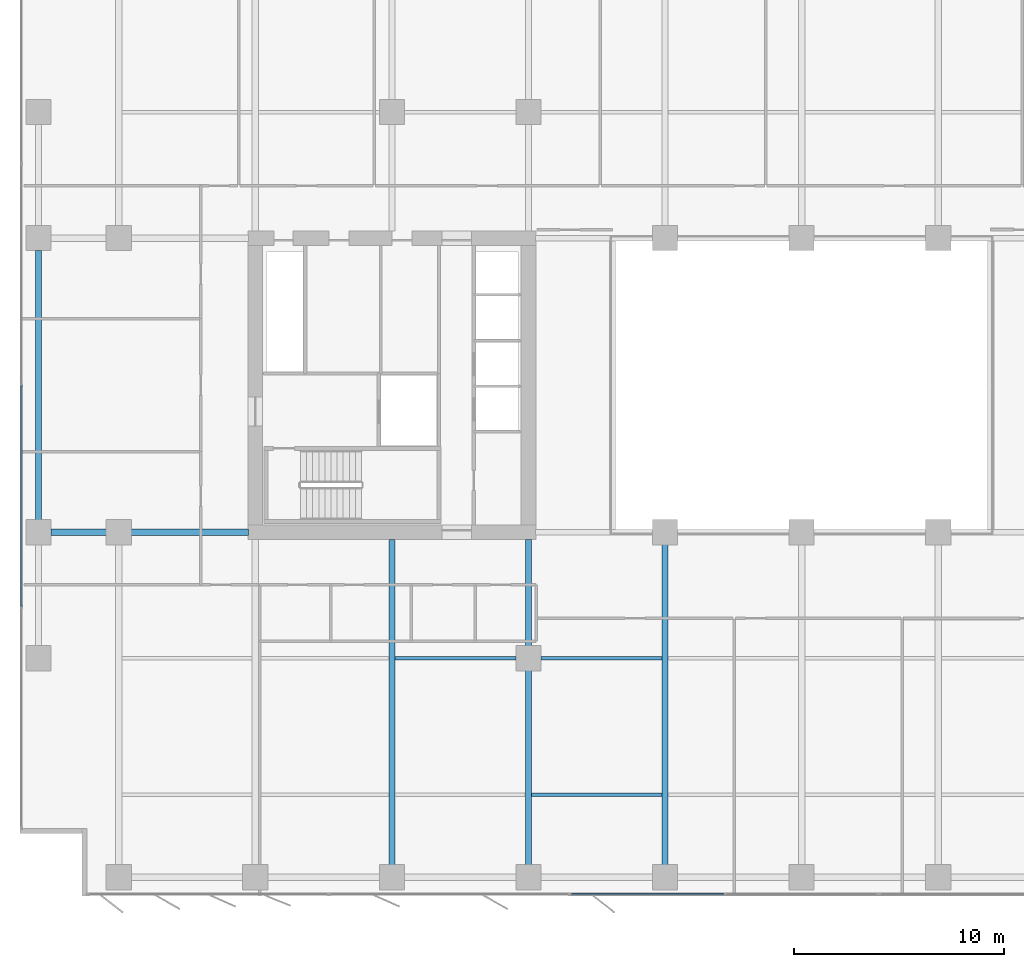
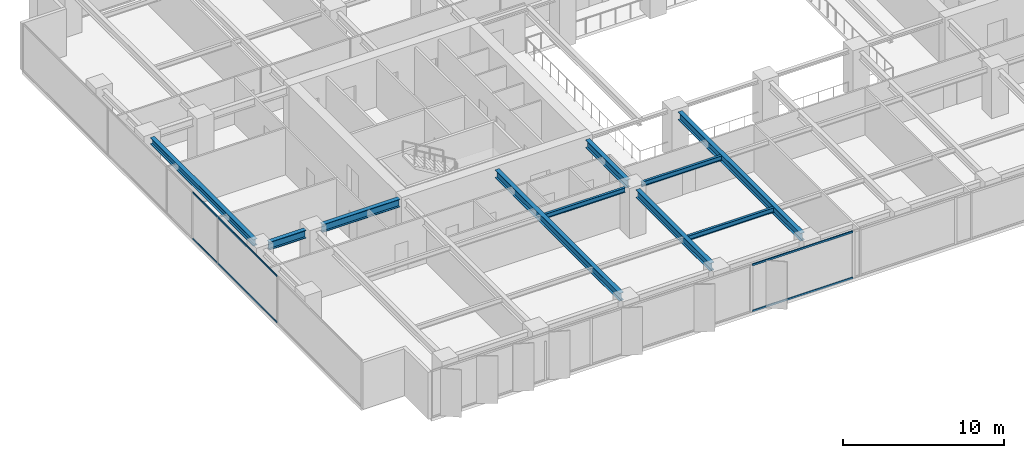
# One storey, part 3 of 20: 10 beams, 4 members, 2 elements without a shape of their own.
"""IFC4 building model written with IfcOpenShell, lengths in metres."""

import ifcopenshell
import ifcopenshell.guid

model = None  # the IFC model being written
_history = None  # IfcOwnerHistory: only IFC2X3 demands one
_inside = {}  # id of a spatial element -> (the spatial element, [elements in it])
_under = {}  # id of a project, library or spatial element -> (it, [spatial elements below it])
_declared = {}  # id of a project -> (the project, [libraries it declares])
_typed = {}  # id of a type object -> (the type object, [elements of that type])
_made_of = {}  # id of a material, layer set ... -> (it, [elements and type objects made of it])


def new_model(schema):
    """Start an empty IFC model of exactly this schema.

    Asked for "IFC4X3", IfcOpenShell would pick the latest addendum, in which some entities
    have other attributes; the version numbers below select the first issue.
    IFC2X3 requires an IfcOwnerHistory on every rooted entity: one is made here for all.
    """
    global model, _history
    if schema == "IFC4X3":
        model = ifcopenshell.file(schema_version=(4, 3, 0, 0))
    else:
        model = ifcopenshell.file(schema=schema)
    _inside.clear()
    _under.clear()
    _declared.clear()
    _typed.clear()
    _made_of.clear()
    _history = None
    if model.schema == "IFC2X3":
        org = make("IfcOrganization", Name="unknown")
        user = make(
            "IfcPersonAndOrganization",
            ThePerson=make("IfcPerson", FamilyName="unknown"),
            TheOrganization=org,
        )
        app = make(
            "IfcApplication",
            ApplicationDeveloper=org,
            Version="unknown",
            ApplicationFullName="unknown",
            ApplicationIdentifier="unknown",
        )
        _history = make(
            "IfcOwnerHistory",
            OwningUser=user,
            OwningApplication=app,
            ChangeAction="ADDED",
            CreationDate=0,
        )
    return model


def make(cls, **values):
    """One entity of the class cls with the attributes given. An attribute that is None is left unset."""
    return model.create_entity(
        cls, **{name: value for name, value in values.items() if value is not None}
    )


def rooted(cls, **values):
    """An entity with a GlobalId (a new one), such as an element, a storey or a relation."""
    return make(cls, GlobalId=ifcopenshell.guid.new(), OwnerHistory=_history, **values)


def si_unit(unit_type, name, prefix=None):
    """IfcSIUnit, for example si_unit("LENGTHUNIT", "METRE", prefix="MILLI")."""
    return make("IfcSIUnit", UnitType=unit_type, Prefix=prefix, Name=name)


def assignment(units):
    """IfcUnitAssignment: the units of a project."""
    return None if units is None else make("IfcUnitAssignment", Units=units)


def point(xyz):
    """IfcCartesianPoint."""
    return None if xyz is None else make("IfcCartesianPoint", Coordinates=xyz)


def direction(xyz):
    """IfcDirection."""
    return None if xyz is None else make("IfcDirection", DirectionRatios=xyz)


def frame(location, z_axis=None, x_axis=None):
    """IfcAxis2Placement3D, a coordinate frame: its origin and axes. An axis left out is left unset."""
    return make(
        "IfcAxis2Placement3D",
        Location=point(location),
        Axis=direction(z_axis),
        RefDirection=direction(x_axis),
    )


def frame_2d(location, x_axis=None):
    """IfcAxis2Placement2D, a coordinate frame in the plane: its origin and x axis."""
    return make(
        "IfcAxis2Placement2D", Location=point(location), RefDirection=direction(x_axis)
    )


def origin():
    """The frame at (0, 0, 0) with its axes left unset."""
    return frame((0.0, 0.0, 0.0))


def origin_2d():
    """The frame at (0, 0) in the plane with its x axis left unset."""
    return frame_2d((0.0, 0.0))


def place(relative_to, where):
    """IfcLocalPlacement: puts the frame where relative to a parent placement (None: the world)."""
    return make(
        "IfcLocalPlacement", PlacementRelTo=relative_to, RelativePlacement=where
    )


def context(
    kind, dimensions, precision=None, world=None, true_north=None, identifier=None
):
    """IfcGeometricRepresentationContext, for example the 3D "Model" context."""
    return make(
        "IfcGeometricRepresentationContext",
        ContextIdentifier=identifier,
        ContextType=kind,
        CoordinateSpaceDimension=dimensions,
        Precision=precision,
        WorldCoordinateSystem=world,
        TrueNorth=true_north,
    )


def subcontext(parent, identifier, kind, view, scale=None):
    """IfcGeometricRepresentationSubContext, for example "Body" below "Model"."""
    return make(
        "IfcGeometricRepresentationSubContext",
        ContextIdentifier=identifier,
        ContextType=kind,
        ParentContext=parent,
        TargetScale=scale,
        TargetView=view,
    )


def project(units=None, contexts=None):
    """IfcProject with its units and contexts."""
    return rooted(
        "IfcProject",
        Name="project",
        RepresentationContexts=contexts,
        UnitsInContext=assignment(units),
    )


def spatial(cls, under=None, at=None, **own):
    """A site, building, storey or space (cls), placed at a placement, below another one or the project."""
    s = rooted(cls, ObjectPlacement=at, **own)
    if under is not None:
        _under.setdefault(under.id(), (under, []))[1].append(s)
    return s


def profile(cls, at=None, kind="AREA", **sizes):
    """A parametric profile (cls). Its sizes go by their IFC names, for example OverallWidth=200.0."""
    return make(cls, ProfileType=kind, Position=at, **sizes)


def rectangle(**sizes):
    """IfcRectangleProfileDef."""
    return profile("IfcRectangleProfileDef", **sizes)


def i_section(**sizes):
    """IfcIShapeProfileDef."""
    return profile("IfcIShapeProfileDef", **sizes)


def extrude(swept, where, along, depth):
    """IfcExtrudedAreaSolid: the profile swept, set in the frame where, extruded along a direction by depth."""
    return make(
        "IfcExtrudedAreaSolid",
        SweptArea=swept,
        Position=where,
        ExtrudedDirection=direction(along),
        Depth=depth,
    )


def shape(context_of_items, identifier, shape_type, items):
    """IfcShapeRepresentation: the items that make up one representation, for example the "Body"."""
    return make(
        "IfcShapeRepresentation",
        ContextOfItems=context_of_items,
        RepresentationIdentifier=identifier,
        RepresentationType=shape_type,
        Items=items,
    )


def material(Name=None, Category=None):
    """IfcMaterial."""
    return make("IfcMaterial", Name=Name, Category=Category)


def layer(
    of_material, thickness, ventilated=None, Name=None, Category=None, Priority=None
):
    """IfcMaterialLayer: one layer of a wall or slab, of a material (None: an air gap)."""
    return make(
        "IfcMaterialLayer",
        Material=of_material,
        LayerThickness=thickness,
        IsVentilated=ventilated,
        Name=Name,
        Category=Category,
        Priority=Priority,
    )


def layer_set(layers, Name=None):
    """IfcMaterialLayerSet."""
    return make("IfcMaterialLayerSet", MaterialLayers=layers, LayerSetName=Name)


def material_profile(
    of_material, cross_section, Name=None, Category=None, Priority=None
):
    """IfcMaterialProfile: a cross section and its material."""
    return make(
        "IfcMaterialProfile",
        Name=Name,
        Material=of_material,
        Profile=cross_section,
        Priority=Priority,
        Category=Category,
    )


def profile_set(profiles, Name=None, composite=None):
    """IfcMaterialProfileSet."""
    return make(
        "IfcMaterialProfileSet",
        Name=Name,
        MaterialProfiles=profiles,
        CompositeProfile=composite,
    )


def made_of(thing, what):
    """Note that an element or type object is made of a material, layer set ...; save() writes the relation."""
    if what is not None:
        _made_of.setdefault(what.id(), (what, []))[1].append(thing)
    return thing


def type_object(cls, material=None, **own):
    """A type object (cls), such as IfcWallType, which elements share."""
    return made_of(rooted(cls, **own), material)


def element(
    cls,
    number,
    at=None,
    inside=None,
    cuts=None,
    type_object=None,
    material=None,
    context=None,
    identifier="Body",
    shape_type=None,
    held_by="IfcProductDefinitionShape",
    body=None,
    shapes=None,
    **own,
):
    """One element of the class cls, such as IfcWall. Its Tag is "e" and its number.

    at: its placement. inside: the storey or other place that contains it. cuts: it is an
    opening in that element (IfcRelVoidsElement). A single representation is given by context,
    identifier, shape_type and body (its items); several are given by shapes. held_by: the class
    of the entity that holds the representations. save() writes the other relations.
    """
    e = rooted(cls, Tag="e%d" % number, ObjectPlacement=at, **own)
    if body is not None:
        shapes = [shape(context, identifier, shape_type, body)]
    if shapes is not None:
        e.Representation = make(held_by, Representations=shapes)
    if inside is not None:
        _inside.setdefault(inside.id(), (inside, []))[1].append(e)
    if cuts is not None:
        rooted(
            "IfcRelVoidsElement", RelatingBuildingElement=cuts, RelatedOpeningElement=e
        )
    if type_object is not None:
        _typed.setdefault(type_object.id(), (type_object, []))[1].append(e)
    return made_of(e, material)


def aggregate(whole, parts):
    """IfcRelAggregates: a whole, such as a stair, and the parts it consists of."""
    return rooted("IfcRelAggregates", RelatingObject=whole, RelatedObjects=parts)


def save(model, path):
    """Write the relations noted so far, then the file.

    IfcRelAggregates (storeys below a building ...), IfcRelContainedInSpatialStructure (elements
    in a storey), IfcRelDefinesByType, IfcRelAssociatesMaterial and IfcRelDeclares: one each for
    every whole, place, type object, material and project.
    """
    for whole, parts in _under.values():
        aggregate(whole, parts)
    for where, things in _inside.values():
        rooted(
            "IfcRelContainedInSpatialStructure",
            RelatedElements=things,
            RelatingStructure=where,
        )
    for kind, things in _typed.values():
        rooted("IfcRelDefinesByType", RelatedObjects=things, RelatingType=kind)
    for what, things in _made_of.values():
        rooted("IfcRelAssociatesMaterial", RelatedObjects=things, RelatingMaterial=what)
    for by, libraries in _declared.values():
        rooted("IfcRelDeclares", RelatingContext=by, RelatedDefinitions=libraries)
    model.write(path)


model = new_model("IFC4")

# Units and contexts
model_context = context("Model", 3, precision=1e-05, world=origin(), true_north=direction((0.0, 1.0)))
body_context = subcontext(model_context, "Body", "Model", "MODEL_VIEW")
ifc_project = project(units=[si_unit("LENGTHUNIT", "METRE"), si_unit("AREAUNIT", "SQUARE_METRE"), si_unit("VOLUMEUNIT", "CUBIC_METRE"), si_unit("PLANEANGLEUNIT", "RADIAN"), si_unit("MASSUNIT", "GRAM", prefix="KILO")], contexts=[model_context])

# Site, building, storey
site_placement = place(None, origin())
site = spatial("IfcSite", under=ifc_project, at=site_placement, CompositionType="ELEMENT")
building_placement = place(site_placement, origin())
building = spatial("IfcBuilding", under=site, at=building_placement, Name="Putna Gate Headquarters", CompositionType="ELEMENT")
storey_placement = place(building_placement, frame((0.0, 0.0, 116.39990234375)))
storey = spatial("IfcBuildingStorey", under=building, at=storey_placement, Name="L28", CompositionType="ELEMENT", Elevation=116.39990234375)

# Beams
ifc_material_1 = material(Name="Steel S355J2", Category="steel")
ifc_material_profile_1 = material_profile(ifc_material_1, i_section(OverallWidth=0.300048828125, OverallDepth=0.60009765625, WebThickness=0.015380859375, FlangeThickness=0.030029296875, at=origin_2d()), Name="Steel S355J2")
ifc_profile_set_1 = profile_set([ifc_material_profile_1], Name="Steel S355J2")
beam_type_1 = type_object("IfcBeamType", Name="BM-GIRD-Z2-HEB600", PredefinedType="USERDEFINED", material=ifc_profile_set_1)
beam_1_placement = place(storey_placement, frame((3.26806640625, 19.0, 3.26513671875), z_axis=(1.0, 0.0, 0.0), x_axis=(0.0, 1.0, 0.0)))
element("IfcBeam", 1, at=beam_1_placement, inside=storey, type_object=beam_type_1, Name="L28 West Wing Girder Y19-1", ObjectType="GIRDER", PredefinedType="USERDEFINED", context=body_context, shape_type="SweptSolid", body=[
    extrude(i_section(OverallWidth=0.300048828125, OverallDepth=0.60009765625, WebThickness=0.015380859375, FlangeThickness=0.030029296875, at=origin_2d()), origin(), (0.0, 0.0, 1.0), 2.64404296875),
])
beam_2_placement = place(storey_placement, frame((7.087890625, 19.0, 3.26513671875), z_axis=(1.0, 0.0, 0.0), x_axis=(0.0, 1.0, 0.0)))
element("IfcBeam", 2, at=beam_2_placement, inside=storey, type_object=beam_type_1, Name="L28 West Wing Girder Y19-2", ObjectType="GIRDER", PredefinedType="USERDEFINED", context=body_context, shape_type="SweptSolid", body=[
    extrude(i_section(OverallWidth=0.300048828125, OverallDepth=0.60009765625, WebThickness=0.015380859375, FlangeThickness=0.030029296875, at=origin_2d()), origin(), (0.0, 0.0, 1.0), 5.5771484375),
])
beam_3_placement = place(storey_placement, frame((19.5, 3.16796875, 3.26513671875), z_axis=(0.0, 1.0, 0.0), x_axis=(-1.0, 0.0, 0.0)))
element("IfcBeam", 3, at=beam_3_placement, inside=storey, type_object=beam_type_1, Name="L28 South Primary Girder X19", ObjectType="GIRDER", PredefinedType="USERDEFINED", context=body_context, shape_type="SweptSolid", body=[
    extrude(i_section(OverallWidth=0.300048828125, OverallDepth=0.60009765625, WebThickness=0.015380859375, FlangeThickness=0.030029296875, at=origin_2d()), origin(), (0.0, 0.0, 1.0), 15.4970703125),
])
beam_4_placement = place(storey_placement, frame((26.0, 3.16796875, 3.26513671875), z_axis=(0.0, 1.0, 0.0), x_axis=(-1.0, 0.0, 0.0)))
element("IfcBeam", 4, at=beam_4_placement, inside=storey, type_object=beam_type_1, Name="L28 South Primary Girder X26-1", ObjectType="GIRDER", PredefinedType="USERDEFINED", context=body_context, shape_type="SweptSolid", body=[
    extrude(i_section(OverallWidth=0.300048828125, OverallDepth=0.60009765625, WebThickness=0.015380859375, FlangeThickness=0.030029296875, at=origin_2d()), origin(), (0.0, 0.0, 1.0), 9.244140625),
])
beam_5_placement = place(storey_placement, frame((26.0, 13.587890625, 3.26513671875), z_axis=(0.0, 1.0, 0.0), x_axis=(-1.0, 0.0, 0.0)))
element("IfcBeam", 5, at=beam_5_placement, inside=storey, type_object=beam_type_1, Name="L28 South Primary Girder X26-2", ObjectType="GIRDER", PredefinedType="USERDEFINED", context=body_context, shape_type="SweptSolid", body=[
    extrude(i_section(OverallWidth=0.300048828125, OverallDepth=0.60009765625, WebThickness=0.015380859375, FlangeThickness=0.030029296875, at=origin_2d()), origin(), (0.0, 0.0, 1.0), 5.0771484375),
])
beam_6_placement = place(storey_placement, frame((32.5, 3.16796875, 3.26513671875), z_axis=(0.0, 1.0, 0.0), x_axis=(-1.0, 0.0, 0.0)))
element("IfcBeam", 6, at=beam_6_placement, inside=storey, type_object=beam_type_1, Name="L28 South Primary Girder X32", ObjectType="GIRDER", PredefinedType="USERDEFINED", context=body_context, shape_type="SweptSolid", body=[
    extrude(i_section(OverallWidth=0.300048828125, OverallDepth=0.60009765625, WebThickness=0.015380859375, FlangeThickness=0.030029296875, at=origin_2d()), origin(), (0.0, 0.0, 1.0), 15.244140625),
])
ifc_material_profile_2 = material_profile(ifc_material_1, i_section(OverallWidth=0.169921875, OverallDepth=0.360107421875, WebThickness=0.008056640625, FlangeThickness=0.0126953125, at=origin_2d()), Name="Steel S355J2")
ifc_profile_set_2 = profile_set([ifc_material_profile_2], Name="Steel S355J2")
beam_type_2 = type_object("IfcBeamType", Name="BM-SEC-Z2-IPE360", PredefinedType="BEAM", material=ifc_profile_set_2)
beam_7_placement = place(storey_placement, frame((19.654052734375, 13.0, 3.385009765625), z_axis=(1.0, 0.0, 0.0), x_axis=(0.0, 1.0, 0.0)))
element("IfcBeam", 7, at=beam_7_placement, inside=storey, type_object=beam_type_2, Name="L28 South Secondary Beam 3", PredefinedType="BEAM", context=body_context, shape_type="SweptSolid", body=[
    extrude(i_section(OverallWidth=0.169921875, OverallDepth=0.360107421875, WebThickness=0.008056640625, FlangeThickness=0.0126953125, at=origin_2d()), origin(), (0.0, 0.0, 1.0), 5.758056640625),
])
beam_8_placement = place(storey_placement, frame((26.154052734375, 6.5, 3.385009765625), z_axis=(1.0, 0.0, 0.0), x_axis=(0.0, 1.0, 0.0)))
element("IfcBeam", 8, at=beam_8_placement, inside=storey, type_object=beam_type_2, Name="L28 South Secondary Beam 4", PredefinedType="BEAM", context=body_context, shape_type="SweptSolid", body=[
    extrude(i_section(OverallWidth=0.169921875, OverallDepth=0.360107421875, WebThickness=0.008056640625, FlangeThickness=0.0126953125, at=origin_2d()), origin(), (0.0, 0.0, 1.0), 6.19189453125),
])
beam_9_placement = place(storey_placement, frame((26.587890625, 13.0, 3.385009765625), z_axis=(1.0, 0.0, 0.0), x_axis=(0.0, 1.0, 0.0)))
element("IfcBeam", 9, at=beam_9_placement, inside=storey, type_object=beam_type_2, Name="L28 South Secondary Beam 4", PredefinedType="BEAM", context=body_context, shape_type="SweptSolid", body=[
    extrude(i_section(OverallWidth=0.169921875, OverallDepth=0.360107421875, WebThickness=0.008056640625, FlangeThickness=0.0126953125, at=origin_2d()), origin(), (0.0, 0.0, 1.0), 5.758056640625),
])
ifc_material_profile_3 = material_profile(ifc_material_1, i_section(OverallWidth=0.300048828125, OverallDepth=0.489990234375, WebThickness=0.011962890625, FlangeThickness=0.02294921875, at=origin_2d()), Name="Steel S355J2")
ifc_profile_set_3 = profile_set([ifc_material_profile_3], Name="Steel S355J2")
beam_type_3 = type_object("IfcBeamType", Name="BM-SPAN-Z2-HEA500", PredefinedType="SPANDREL", material=ifc_profile_set_3)
beam_10_placement = place(storey_placement, frame((2.679931640625, 19.587890625, 3.320068359375), z_axis=(0.0, 1.0, 0.0), x_axis=(-1.0, 0.0, 0.0)))
element("IfcBeam", 10, at=beam_10_placement, inside=storey, type_object=beam_type_3, Name="L28 W End Spandrel 2", PredefinedType="SPANDREL", context=body_context, shape_type="SweptSolid", body=[
    extrude(i_section(OverallWidth=0.300048828125, OverallDepth=0.489990234375, WebThickness=0.011962890625, FlangeThickness=0.02294921875, at=origin_2d()), origin(), (0.0, 0.0, 1.0), 12.82421875),
])

# Curtain wall, members
ifc_material_2 = material(Name="Anodised bronze aluminium curtain wall", Category="aluminium")
ifc_layer_1 = layer(ifc_material_2, 0.159912109375)
ifc_layer_set_1 = layer_set([ifc_layer_1], Name="Anodised bronze aluminium curtain wall")
curtain_wall_type_1 = type_object("IfcCurtainWallType", Name="CW-SYS-Z2", PredefinedType="USERDEFINED", material=ifc_layer_set_1)
curtain_wall_1_placement = place(storey_placement, origin())
curtain_wall_1 = element("IfcCurtainWall", 11, at=curtain_wall_1_placement, inside=storey, type_object=curtain_wall_type_1, Name="L28 West Curtain Wall", ObjectType="STICK CURTAIN WALL", PredefinedType="USERDEFINED")
ifc_material_3 = material(Name="Anodised bronze aluminium EN AW-6060", Category="aluminium")
ifc_material_profile_4 = material_profile(ifc_material_3, rectangle(XDim=0.06494140625, YDim=0.1201171875, at=origin_2d()), Name="Anodised bronze aluminium EN AW-6060")
ifc_profile_set_4 = profile_set([ifc_material_profile_4], Name="Anodised bronze aluminium EN AW-6060")
member_type_1 = type_object("IfcMemberType", Name="TRAN-CWT-2", PredefinedType="USERDEFINED", material=ifc_profile_set_4)
member_1_placement = place(storey_placement, frame((1.8798828125, 15.482421875, 0.03271484375), z_axis=(0.0, 1.0, 0.0), x_axis=(-1.0, 0.0, 0.0)))
member_1 = element("IfcMember", 12, at=member_1_placement, type_object=member_type_1, Name="CWS-2 transom 2.1", ObjectType="TRANSOM", PredefinedType="USERDEFINED", context=body_context, shape_type="SweptSolid", body=[
    extrude(rectangle(XDim=0.06494140625, YDim=0.1201171875, at=origin_2d()), origin(), (0.0, 0.0, 1.0), 10.485107421875),
])
member_2_placement = place(storey_placement, frame((1.8798828125, 15.482421875, 3.53271484375), z_axis=(0.0, 1.0, 0.0), x_axis=(-1.0, 0.0, 0.0)))
member_2 = element("IfcMember", 13, at=member_2_placement, type_object=member_type_1, Name="CWS-2 transom 2.2", ObjectType="TRANSOM", PredefinedType="USERDEFINED", context=body_context, shape_type="SweptSolid", body=[
    extrude(rectangle(XDim=0.06494140625, YDim=0.1201171875, at=origin_2d()), origin(), (0.0, 0.0, 1.0), 10.485107421875),
])
aggregate(curtain_wall_1, [member_1, member_2])

ifc_layer_2 = layer(ifc_material_2, 0.179931640625)
ifc_layer_set_2 = layer_set([ifc_layer_2], Name="Anodised bronze aluminium curtain wall")
curtain_wall_type_2 = type_object("IfcCurtainWallType", Name="CW-SYS-ATR", PredefinedType="USERDEFINED", material=ifc_layer_set_2)
curtain_wall_2_placement = place(storey_placement, origin())
curtain_wall_2 = element("IfcCurtainWall", 14, at=curtain_wall_2_placement, inside=storey, type_object=curtain_wall_type_2, Name="L28 South Atrium Clear Glazing", ObjectType="ATRIUM GLAZING", PredefinedType="USERDEFINED")
ifc_material_profile_5 = material_profile(ifc_material_3, rectangle(XDim=0.070068359375, YDim=0.139892578125, at=origin_2d()), Name="Anodised bronze aluminium EN AW-6060")
ifc_profile_set_5 = profile_set([ifc_material_profile_5], Name="Anodised bronze aluminium EN AW-6060")
member_type_2 = type_object("IfcMemberType", Name="TRAN-CWT-AT", PredefinedType="USERDEFINED", material=ifc_profile_set_5)
member_3_placement = place(storey_placement, frame((28.070068359375, 1.780029296875, 0.03515625), z_axis=(1.0, 0.0, 0.0), x_axis=(0.0, 1.0, 0.0)))
member_3 = element("IfcMember", 15, at=member_3_placement, type_object=member_type_2, Name="CWS-AT transom 1.1", ObjectType="TRANSOM", PredefinedType="USERDEFINED", context=body_context, shape_type="SweptSolid", body=[
    extrude(rectangle(XDim=0.070068359375, YDim=0.139892578125, at=origin_2d()), origin(), (0.0, 0.0, 1.0), 7.228271484375),
])
member_4_placement = place(storey_placement, frame((28.070068359375, 1.780029296875, 3.530029296875), z_axis=(1.0, 0.0, 0.0), x_axis=(0.0, 1.0, 0.0)))
member_4 = element("IfcMember", 16, at=member_4_placement, type_object=member_type_2, Name="CWS-AT transom 1.2", ObjectType="TRANSOM", PredefinedType="USERDEFINED", context=body_context, shape_type="SweptSolid", body=[
    extrude(rectangle(XDim=0.070068359375, YDim=0.139892578125, at=origin_2d()), origin(), (0.0, 0.0, 1.0), 7.228271484375),
])
aggregate(curtain_wall_2, [member_3, member_4])

save(model, "model.ifc")
